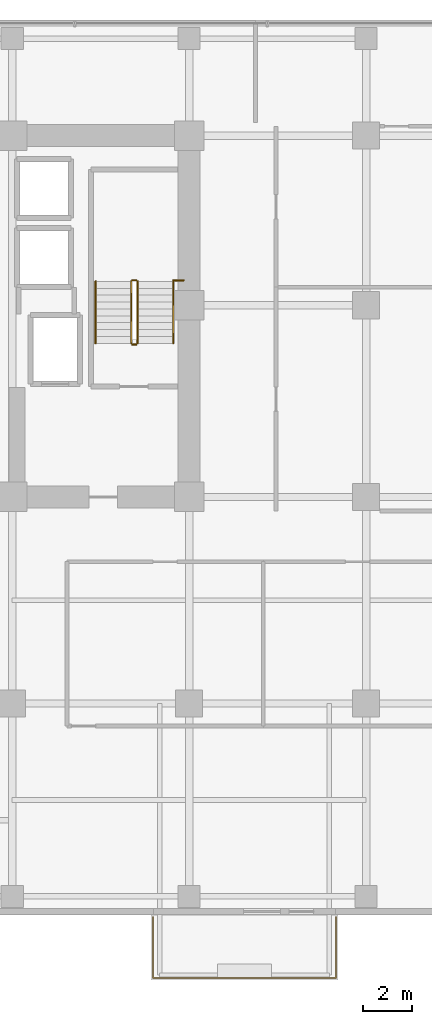
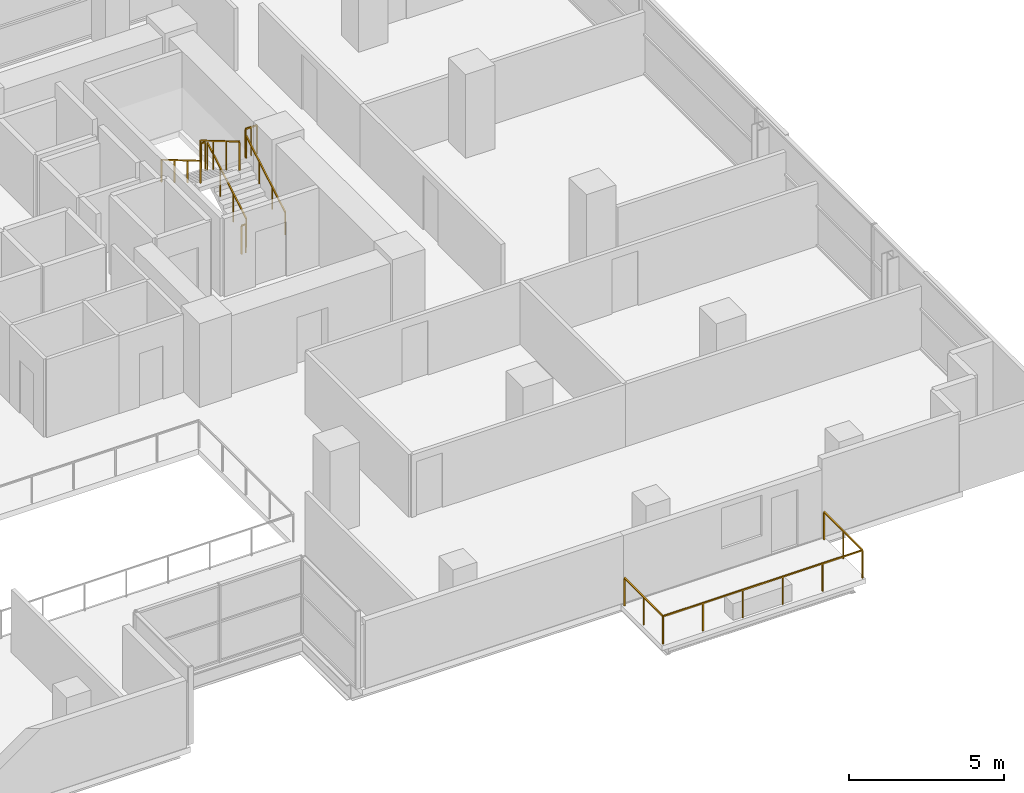
# One storey, part 29 of 30: 8 railings.
"""IFC4 building model written with IfcOpenShell, lengths in metres."""

from ifc_helpers import new_model, si_unit, direction, frame, origin, origin_2d, place, context, subcontext, project, spatial, rectangle, extrude, material, type_object, element, save


model = new_model("IFC4")

# Units and contexts
model_context = context("Model", 3, precision=1e-05, world=origin(), true_north=direction((0.0, 1.0)))
body_context = subcontext(model_context, "Body", "Model", "MODEL_VIEW")
ifc_project = project(units=[si_unit("LENGTHUNIT", "METRE"), si_unit("AREAUNIT", "SQUARE_METRE"), si_unit("VOLUMEUNIT", "CUBIC_METRE"), si_unit("PLANEANGLEUNIT", "RADIAN"), si_unit("MASSUNIT", "GRAM", prefix="KILO")], contexts=[model_context])

# Site, building, storey
site_placement = place(None, origin())
site = spatial("IfcSite", under=ifc_project, at=site_placement, CompositionType="ELEMENT")
building_placement = place(site_placement, origin())
building = spatial("IfcBuilding", under=site, at=building_placement, Name="Zarnakvel Exchange Tower", CompositionType="ELEMENT")
storey_placement = place(building_placement, frame((0.0, 0.0, 40.60009765625)))
storey = spatial("IfcBuildingStorey", under=building, at=storey_placement, Name="L10", CompositionType="ELEMENT", Elevation=40.60009765625)

# Railings
ifc_material_1 = material(Name="Architectural Bronze Anodised Aluminium", Category="aluminium")
railing_type_1 = type_object("IfcRailingType", Name="GR-02", PredefinedType="GUARDRAIL", material=ifc_material_1)
railing_1_placement = place(storey_placement, frame((12.929931640625, -18.280029296875, -0.03515625)))
element("IfcRailing", 1, at=railing_1_placement, inside=storey, type_object=railing_type_1, Name="L10 Balcony Guardrail BAL-L10-SE", PredefinedType="GUARDRAIL", context=body_context, shape_type="SweptSolid", body=[
    extrude(rectangle(XDim=0.048095703125, YDim=0.048095703125, at=origin_2d()), frame((0.0, 0.0, 1.09619140625), z_axis=(0.0, -1.0, 0.0), x_axis=(1.0, 0.0, 0.0)), (0.0, 0.0, 1.0), 2.489990234375),
    extrude(rectangle(XDim=0.048095703125, YDim=0.048095703125, at=origin_2d()), frame((0.0, -2.489990234375, 1.09619140625), z_axis=(1.0, 0.0, 0.0), x_axis=(0.0, 1.0, 0.0)), (0.0, 0.0, 1.0), 7.440185546875),
    extrude(rectangle(XDim=0.048095703125, YDim=0.048095703125, at=origin_2d()), frame((7.440185546875, -2.489990234375, 1.09619140625), z_axis=(0.0, 1.0, 0.0), x_axis=(-1.0, 0.0, 0.0)), (0.0, 0.0, 1.0), 2.489990234375),
    extrude(rectangle(XDim=0.0419921875, YDim=0.0419921875, at=origin_2d()), origin(), (0.0, 0.0, 1.0), 1.072021484375),
    extrude(rectangle(XDim=0.0419921875, YDim=0.0419921875, at=origin_2d()), frame((0.0, -1.2451171875, 0.0)), (0.0, 0.0, 1.0), 1.072021484375),
    extrude(rectangle(XDim=0.0419921875, YDim=0.0419921875, at=origin_2d()), frame((0.0, -2.489990234375, 0.0)), (0.0, 0.0, 1.0), 1.072021484375),
    extrude(rectangle(XDim=0.0419921875, YDim=0.0419921875, at=origin_2d()), frame((1.488037109375, -2.489990234375, 0.0)), (0.0, 0.0, 1.0), 1.072021484375),
    extrude(rectangle(XDim=0.0419921875, YDim=0.0419921875, at=origin_2d()), frame((2.97607421875, -2.489990234375, 0.0)), (0.0, 0.0, 1.0), 1.072021484375),
    extrude(rectangle(XDim=0.0419921875, YDim=0.0419921875, at=origin_2d()), frame((4.464111328125, -2.489990234375, 0.0)), (0.0, 0.0, 1.0), 1.072021484375),
    extrude(rectangle(XDim=0.0419921875, YDim=0.0419921875, at=origin_2d()), frame((5.9521484375, -2.489990234375, 0.0)), (0.0, 0.0, 1.0), 1.072021484375),
    extrude(rectangle(XDim=0.0419921875, YDim=0.0419921875, at=origin_2d()), frame((7.440185546875, -2.489990234375, 0.0)), (0.0, 0.0, 1.0), 1.072021484375),
    extrude(rectangle(XDim=0.0419921875, YDim=0.0419921875, at=origin_2d()), frame((7.440185546875, -1.2451171875, 0.0)), (0.0, 0.0, 1.0), 1.072021484375),
    extrude(rectangle(XDim=0.0419921875, YDim=0.0419921875, at=origin_2d()), frame((7.440185546875, 0.0, 0.0)), (0.0, 0.0, 1.0), 1.072021484375),
])
ifc_material_2 = material(Name="Brushed Stainless Steel", Category="steel")
railing_type_2 = type_object("IfcRailingType", Name="HR-01", PredefinedType="HANDRAIL", material=ifc_material_2)
railing_2_placement = place(storey_placement, frame((13.75, 5.050048828125, 0.164794921875)))
element("IfcRailing", 2, at=railing_2_placement, inside=storey, type_object=railing_type_2, Name="L10 ST-02 stair handrail 1", PredefinedType="HANDRAIL", context=body_context, shape_type="SweptSolid", body=[
    extrude(rectangle(XDim=0.048095703125, YDim=0.048095703125, at=origin_2d()), frame((0.0, 0.0, 0.8759765625), z_axis=(0.0, 0.86152411907, 0.507716645641), x_axis=(-1.0, 0.0, 0.0)), (0.0, 0.0, 1.0), 2.925048828125),
    extrude(rectangle(XDim=0.0419921875, YDim=0.0419921875, at=origin_2d()), origin(), (0.0, 0.0, 1.0), 0.851806640625),
    extrude(rectangle(XDim=0.0419921875, YDim=0.0419921875, at=origin_2d()), frame((0.0, 0.840087890625, 0.4951171875)), (0.0, 0.0, 1.0), 0.851806640625),
    extrude(rectangle(XDim=0.0419921875, YDim=0.0419921875, at=origin_2d()), frame((0.0, 1.679931640625, 0.989990234375)), (0.0, 0.0, 1.0), 0.851806640625),
    extrude(rectangle(XDim=0.0419921875, YDim=0.0419921875, at=origin_2d()), frame((0.0, 2.52001953125, 1.485107421875)), (0.0, 0.0, 1.0), 0.851806640625),
])
railing_3_placement = place(storey_placement, frame((10.590087890625, 7.570068359375, 1.81494140625)))
element("IfcRailing", 3, at=railing_3_placement, inside=storey, type_object=railing_type_2, Name="L10 ST-02 stair handrail 2", PredefinedType="HANDRAIL", context=body_context, shape_type="SweptSolid", body=[
    extrude(rectangle(XDim=0.048095703125, YDim=0.048095703125, at=origin_2d()), frame((0.0, 0.0, 0.8759765625), z_axis=(0.0, -0.861560626758, 0.507654692109), x_axis=(1.0, 0.0, 0.0)), (0.0, 0.0, 1.0), 2.925048828125),
    extrude(rectangle(XDim=0.0419921875, YDim=0.0419921875, at=origin_2d()), origin(), (0.0, 0.0, 1.0), 0.851806640625),
    extrude(rectangle(XDim=0.0419921875, YDim=0.0419921875, at=origin_2d()), frame((0.0, -0.840087890625, 0.494873046875)), (0.0, 0.0, 1.0), 0.851806640625),
    extrude(rectangle(XDim=0.0419921875, YDim=0.0419921875, at=origin_2d()), frame((0.0, -1.679931640625, 0.989990234375)), (0.0, 0.0, 1.0), 0.851806640625),
    extrude(rectangle(XDim=0.0419921875, YDim=0.0419921875, at=origin_2d()), frame((0.0, -2.52001953125, 1.48486328125)), (0.0, 0.0, 1.0), 0.851806640625),
])
railing_type_3 = type_object("IfcRailingType", Name="SG-01", PredefinedType="GUARDRAIL", material=ifc_material_1)
railing_4_placement = place(storey_placement, frame((12.300048828125, 5.050048828125, 0.164794921875)))
element("IfcRailing", 4, at=railing_4_placement, inside=storey, type_object=railing_type_3, Name="L10 ST-02 stair guard 1", PredefinedType="GUARDRAIL", context=body_context, shape_type="SweptSolid", body=[
    extrude(rectangle(XDim=0.048095703125, YDim=0.048095703125, at=origin_2d()), frame((0.0, 0.0, 1.1259765625), z_axis=(0.0, 0.86152411907, 0.507716645641), x_axis=(-1.0, 0.0, 0.0)), (0.0, 0.0, 1.0), 2.925048828125),
    extrude(rectangle(XDim=0.0419921875, YDim=0.0419921875, at=origin_2d()), origin(), (0.0, 0.0, 1.0), 1.101806640625),
    extrude(rectangle(XDim=0.0419921875, YDim=0.0419921875, at=origin_2d()), frame((0.0, 0.840087890625, 0.4951171875)), (0.0, 0.0, 1.0), 1.101806640625),
    extrude(rectangle(XDim=0.0419921875, YDim=0.0419921875, at=origin_2d()), frame((0.0, 1.679931640625, 0.989990234375)), (0.0, 0.0, 1.0), 1.101806640625),
    extrude(rectangle(XDim=0.0419921875, YDim=0.0419921875, at=origin_2d()), frame((0.0, 2.52001953125, 1.485107421875)), (0.0, 0.0, 1.0), 1.101806640625),
])
railing_5_placement = place(storey_placement, frame((12.25, 7.6201171875, 1.64990234375)))
element("IfcRailing", 5, at=railing_5_placement, inside=storey, type_object=railing_type_3, Name="L10 ST-02 stair guard 2", PredefinedType="GUARDRAIL", context=body_context, shape_type="SweptSolid", body=[
    extrude(rectangle(XDim=0.048095703125, YDim=0.048095703125, at=origin_2d()), frame((0.0, 0.0, 1.1259765625), z_axis=(-1.0, 0.0, 0.0), x_axis=(0.0, -1.0, 0.0)), (0.0, 0.0, 1.0), 0.159912109375),
    extrude(rectangle(XDim=0.0419921875, YDim=0.0419921875, at=origin_2d()), origin(), (0.0, 0.0, 1.0), 1.101806640625),
    extrude(rectangle(XDim=0.0419921875, YDim=0.0419921875, at=origin_2d()), frame((-0.159912109375, 0.0, 0.0)), (0.0, 0.0, 1.0), 1.101806640625),
])
railing_6_placement = place(storey_placement, frame((12.0400390625, 7.570068359375, 1.81494140625)))
element("IfcRailing", 6, at=railing_6_placement, inside=storey, type_object=railing_type_3, Name="L10 ST-02 stair guard 3", PredefinedType="GUARDRAIL", context=body_context, shape_type="SweptSolid", body=[
    extrude(rectangle(XDim=0.048095703125, YDim=0.048095703125, at=origin_2d()), frame((0.0, 0.0, 1.1259765625), z_axis=(0.0, -0.861560626758, 0.507654692109), x_axis=(1.0, 0.0, 0.0)), (0.0, 0.0, 1.0), 2.925048828125),
    extrude(rectangle(XDim=0.0419921875, YDim=0.0419921875, at=origin_2d()), origin(), (0.0, 0.0, 1.0), 1.101806640625),
    extrude(rectangle(XDim=0.0419921875, YDim=0.0419921875, at=origin_2d()), frame((0.0, -0.840087890625, 0.494873046875)), (0.0, 0.0, 1.0), 1.101806640625),
    extrude(rectangle(XDim=0.0419921875, YDim=0.0419921875, at=origin_2d()), frame((0.0, -1.679931640625, 0.989990234375)), (0.0, 0.0, 1.0), 1.101806640625),
    extrude(rectangle(XDim=0.0419921875, YDim=0.0419921875, at=origin_2d()), frame((0.0, -2.52001953125, 1.48486328125)), (0.0, 0.0, 1.0), 1.101806640625),
])
railing_7_placement = place(storey_placement, frame((12.25, 5.0, 0.0)))
element("IfcRailing", 7, at=railing_7_placement, inside=storey, type_object=railing_type_3, Name="L10 ST-02 stair guard 4", PredefinedType="GUARDRAIL", context=body_context, shape_type="SweptSolid", body=[
    extrude(rectangle(XDim=0.048095703125, YDim=0.048095703125, at=origin_2d()), frame((0.0, 0.0, 1.1259765625), z_axis=(-1.0, 0.0, 0.0), x_axis=(0.0, -1.0, 0.0)), (0.0, 0.0, 1.0), 0.159912109375),
    extrude(rectangle(XDim=0.0419921875, YDim=0.0419921875, at=origin_2d()), origin(), (0.0, 0.0, 1.0), 1.101806640625),
    extrude(rectangle(XDim=0.0419921875, YDim=0.0419921875, at=origin_2d()), frame((-0.159912109375, 0.0, 0.0)), (0.0, 0.0, 1.0), 1.101806640625),
])
railing_8_placement = place(storey_placement, frame((13.75, 7.610107421875, 1.64990234375)))
element("IfcRailing", 8, at=railing_8_placement, inside=storey, type_object=railing_type_3, Name="L10 ST-02 Landing Slot Guardrail", PredefinedType="GUARDRAIL", context=body_context, shape_type="SweptSolid", body=[
    extrude(rectangle(XDim=0.048095703125, YDim=0.048095703125, at=origin_2d()), frame((0.0, 0.0, 1.1259765625), z_axis=(1.0, 0.0, 0.0), x_axis=(0.0, 1.0, 0.0)), (0.0, 0.0, 1.0), 0.429931640625),
    extrude(rectangle(XDim=0.0419921875, YDim=0.0419921875, at=origin_2d()), origin(), (0.0, 0.0, 1.0), 1.101806640625),
    extrude(rectangle(XDim=0.0419921875, YDim=0.0419921875, at=origin_2d()), frame((0.21484375, 0.0, 0.0)), (0.0, 0.0, 1.0), 1.101806640625),
    extrude(rectangle(XDim=0.0419921875, YDim=0.0419921875, at=origin_2d()), frame((0.429931640625, 0.0, 0.0)), (0.0, 0.0, 1.0), 1.101806640625),
])

save(model, "model.ifc")
